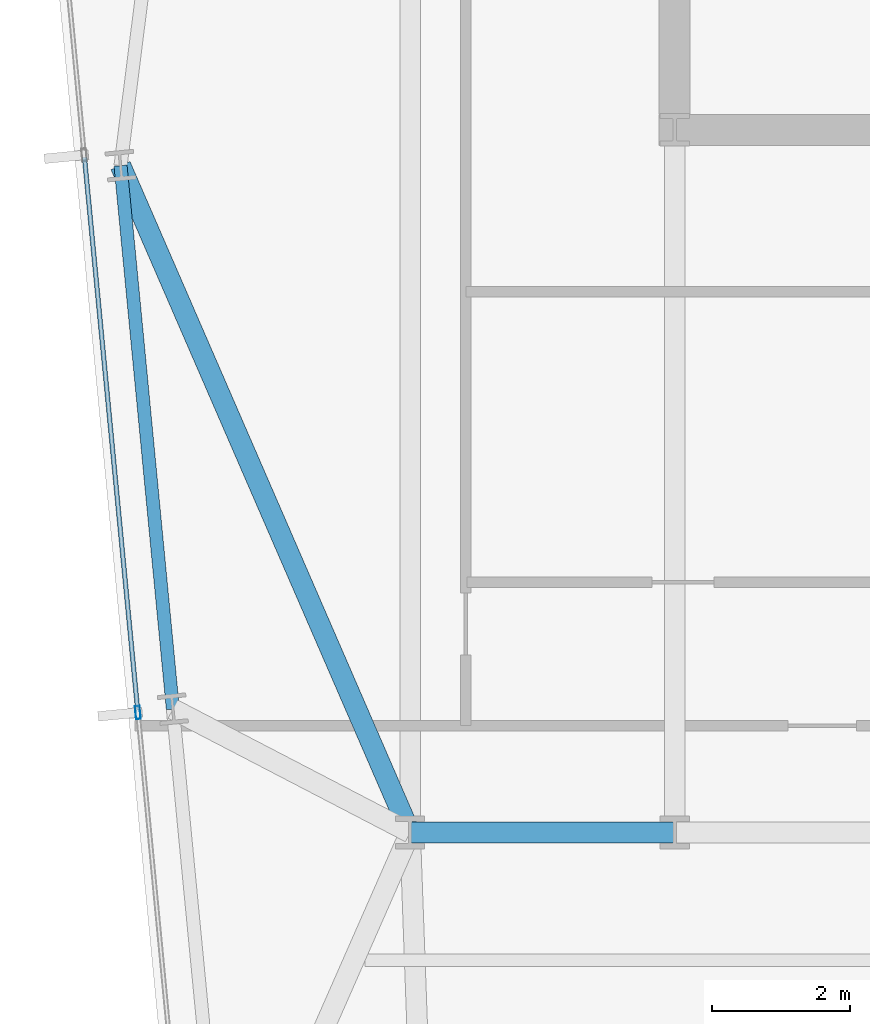
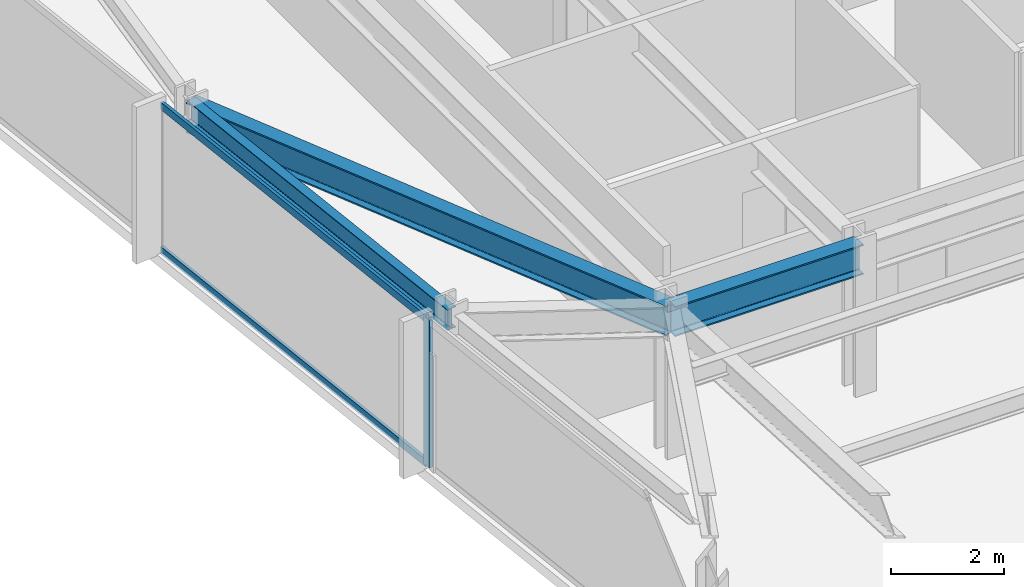
# One storey, part 6 of 33: 3 beams, 3 members, 1 element without a shape of its own.
"""IFC4 building model written with IfcOpenShell, lengths in metres."""

from ifc_helpers import new_model, si_unit, direction, frame, origin, origin_2d, place, context, subcontext, project, spatial, hollow_rectangle, i_section, extrude, material, material_profile, profile_set, type_object, element, aggregate, save


model = new_model("IFC4")

# Units and contexts
model_context = context("Model", 3, precision=1e-05, world=origin(), true_north=direction((0.0, 1.0)))
body_context = subcontext(model_context, "Body", "Model", "MODEL_VIEW")
ifc_project = project(units=[si_unit("LENGTHUNIT", "METRE"), si_unit("AREAUNIT", "SQUARE_METRE"), si_unit("VOLUMEUNIT", "CUBIC_METRE"), si_unit("PLANEANGLEUNIT", "RADIAN"), si_unit("MASSUNIT", "GRAM", prefix="KILO")], contexts=[model_context])

# Site, building, storey
site_placement = place(None, origin())
site = spatial("IfcSite", under=ifc_project, at=site_placement, CompositionType="ELEMENT")
building_placement = place(site_placement, origin())
building = spatial("IfcBuilding", under=site, at=building_placement, Name="Yelkora Congress Tower", CompositionType="ELEMENT")
storey_placement = place(building_placement, frame((0.0, 0.0, 106.699951171875)))
storey = spatial("IfcBuildingStorey", under=building, at=storey_placement, Name="L28", CompositionType="ELEMENT", Elevation=106.699951171875)

# Beams
ifc_material_1 = material(Name="Steel S355J2", Category="steel")
ifc_material_profile_1 = material_profile(ifc_material_1, i_section(OverallWidth=0.300048828125, OverallDepth=0.64990234375, WebThickness=0.01611328125, FlangeThickness=0.031005859375, FilletRadius=0.027099609375, at=origin_2d()), Name="HEB 650")
ifc_profile_set_1 = profile_set([ifc_material_profile_1], Name="Steel S355J2")
beam_type_1 = type_object("IfcBeamType", Name="BM-GIRD-HEB650", PredefinedType="BEAM", material=ifc_profile_set_1)
beam_1_placement = place(storey_placement, frame((19.199951171875, 25.199951171875, 2.85498046875), z_axis=(1.0, 0.0, 0.0), x_axis=(0.0, 1.0, 0.0)))
element("IfcBeam", 1, at=beam_1_placement, inside=storey, type_object=beam_type_1, Name="L28 Spine Grid D Girder 1", PredefinedType="BEAM", context=body_context, shape_type="SweptSolid", body=[
    extrude(i_section(OverallWidth=0.300048828125, OverallDepth=0.64990234375, WebThickness=0.01611328125, FlangeThickness=0.031005859375, FilletRadius=0.027099609375, at=origin_2d()), origin(), (0.0, 0.0, 1.0), 3.840087890625),
])
beam_2_placement = place(storey_placement, frame((14.997314453125, 34.87890625, 2.85498046875), z_axis=(0.398279362914, -0.917264165373, 0.0), x_axis=(0.917264165373, 0.398279362914, 0.0)))
element("IfcBeam", 2, at=beam_2_placement, inside=storey, type_object=beam_type_1, Name="L28 Primary Frame Girder W03", PredefinedType="BEAM", context=body_context, shape_type="SweptSolid", body=[
    extrude(i_section(OverallWidth=0.300048828125, OverallDepth=0.64990234375, WebThickness=0.01611328125, FlangeThickness=0.031005859375, FilletRadius=0.027099609375, at=origin_2d()), origin(), (0.0, 0.0, 1.0), 10.552001953125),
])
ifc_material_profile_2 = material_profile(ifc_material_1, i_section(OverallWidth=0.18994140625, OverallDepth=0.449951171875, WebThickness=0.009521484375, FlangeThickness=0.0146484375, FilletRadius=0.02099609375, at=origin_2d()), Name="IPE 450")
ifc_profile_set_2 = profile_set([ifc_material_profile_2], Name="Steel S355J2")
beam_type_2 = type_object("IfcBeamType", Name="BM-SPAN-IPE450", PredefinedType="SPANDREL", material=ifc_profile_set_2)
beam_3_placement = place(storey_placement, frame((14.997314453125, 34.87890625, 2.955078125), z_axis=(0.095870310714, -0.995393833376, 0.0), x_axis=(0.995393833376, 0.095870310714, 0.0)))
element("IfcBeam", 3, at=beam_3_placement, inside=storey, type_object=beam_type_2, Name="L28 Perimeter Beam 19", PredefinedType="SPANDREL", context=body_context, shape_type="SweptSolid", body=[
    extrude(i_section(OverallWidth=0.18994140625, OverallDepth=0.449951171875, WebThickness=0.009521484375, FlangeThickness=0.0146484375, FilletRadius=0.02099609375, at=origin_2d()), origin(), (0.0, 0.0, 1.0), 7.925048828125),
])

# Curtain wall, members
ifc_material_2 = material(Name="Anodised aluminium and insulated glass", Category="aluminium")
curtain_wall_type = type_object("IfcCurtainWallType", Name="CW-SYS-B2", PredefinedType="NOTDEFINED", material=ifc_material_2)
curtain_wall_placement = place(storey_placement, origin())
curtain_wall = element("IfcCurtainWall", 4, at=curtain_wall_placement, inside=storey, type_object=curtain_wall_type, Name="L28 Unitised Curtain Wall 5", PredefinedType="NOTDEFINED")
ifc_material_3 = material(Name="Anodised aluminium 6063-T6", Category="aluminium")
ifc_material_profile_3 = material_profile(ifc_material_3, hollow_rectangle(XDim=0.070068359375, YDim=0.18994140625, WallThickness=0.00390625, at=origin_2d()), Name="ALU 70x190x4")
ifc_profile_set_3 = profile_set([ifc_material_profile_3], Name="Anodised aluminium 6063-T6")
member_type_1 = type_object("IfcMemberType", Name="MEM-ML-B2", PredefinedType="MULLION", material=ifc_profile_set_3)
member_1_placement = place(storey_placement, frame((15.249267578125, 26.941650390625, 0.0), z_axis=(0.0, 0.0, 1.0), x_axis=(-0.995396507508, -0.095842541913, 0.0)))
member_1 = element("IfcMember", 5, at=member_1_placement, type_object=member_type_1, Name="CW-B2 mullion 3", PredefinedType="MULLION", context=body_context, shape_type="SweptSolid", body=[
    extrude(hollow_rectangle(XDim=0.070068359375, YDim=0.18994140625, WallThickness=0.00390625, at=origin_2d()), origin(), (0.0, 0.0, 1.0), 3.179931640625),
])
ifc_material_profile_4 = material_profile(ifc_material_3, hollow_rectangle(XDim=0.06494140625, YDim=0.159912109375, WallThickness=0.00390625, at=origin_2d()), Name="ALU 65x160x4")
ifc_profile_set_4 = profile_set([ifc_material_profile_4], Name="Anodised aluminium 6063-T6")
member_type_2 = type_object("IfcMemberType", Name="MEM-TR-B2", PredefinedType="USERDEFINED", material=ifc_profile_set_4)
member_2_placement = place(storey_placement, frame((15.245849609375, 26.976318359375, 0.032470703125), z_axis=(-0.095838228465, 0.995396922823, 0.0), x_axis=(-0.995396922823, -0.095838228465, 0.0)))
member_2 = element("IfcMember", 6, at=member_2_placement, type_object=member_type_2, Name="CW-B2 transom 3.1", ObjectType="TRANSOM", PredefinedType="USERDEFINED", context=body_context, shape_type="SweptSolid", body=[
    extrude(hollow_rectangle(XDim=0.06494140625, YDim=0.159912109375, WallThickness=0.00390625, at=origin_2d()), origin(), (0.0, 0.0, 1.0), 8.06005859375),
])
member_3_placement = place(storey_placement, frame((15.245849609375, 26.976318359375, 3.1474609375), z_axis=(-0.095838228465, 0.995396922823, 0.0), x_axis=(-0.995396922823, -0.095838228465, 0.0)))
member_3 = element("IfcMember", 7, at=member_3_placement, type_object=member_type_2, Name="CW-B2 transom 3.2", ObjectType="TRANSOM", PredefinedType="USERDEFINED", context=body_context, shape_type="SweptSolid", body=[
    extrude(hollow_rectangle(XDim=0.06494140625, YDim=0.159912109375, WallThickness=0.00390625, at=origin_2d()), origin(), (0.0, 0.0, 1.0), 8.06005859375),
])
aggregate(curtain_wall, [member_1, member_2, member_3])

save(model, "model.ifc")
